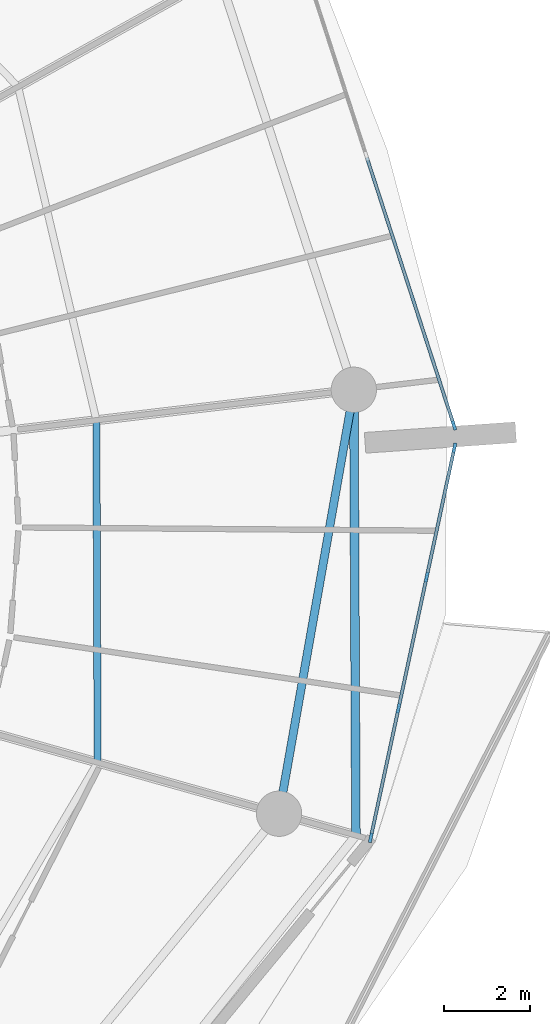
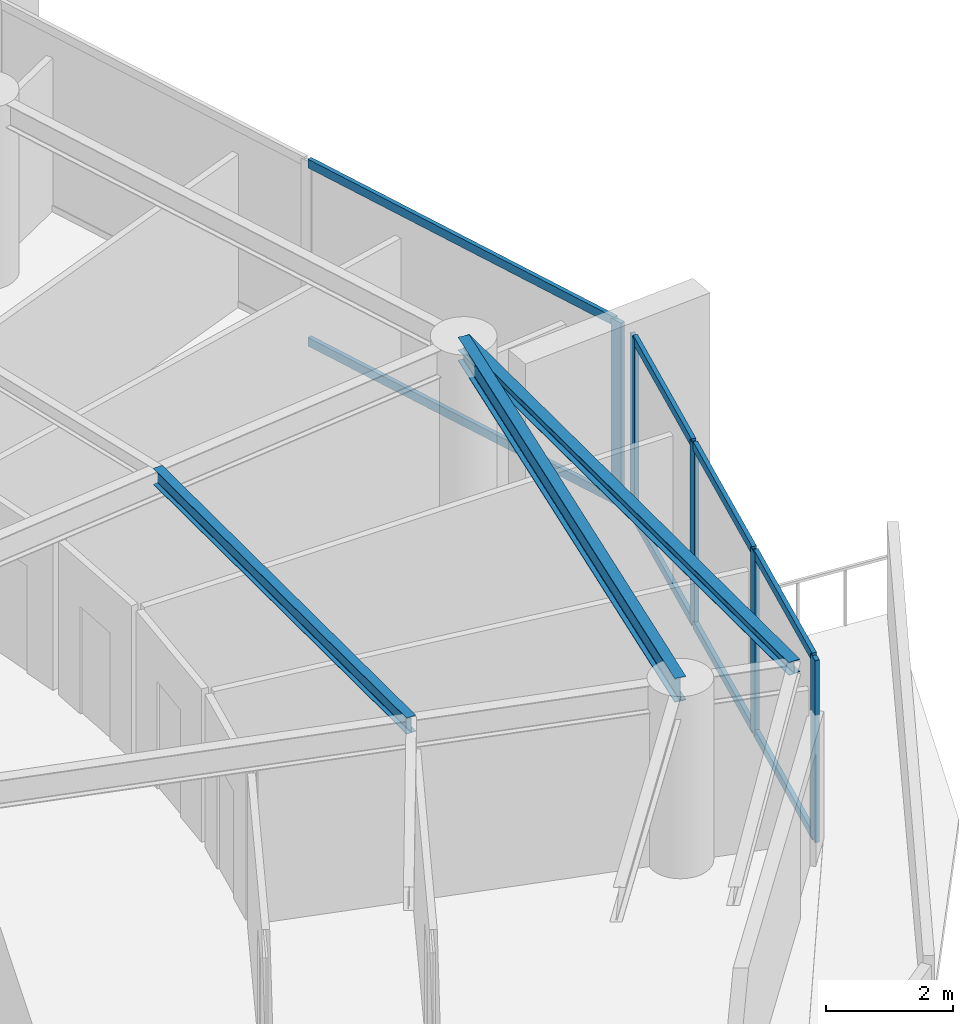
# One storey, part 7 of 20: 13 members, 3 beams, 2 elements without a shape of their own.
"""IFC4 building model written with IfcOpenShell, lengths in metres."""

from ifc_helpers import new_model, si_unit, direction, frame, origin, origin_2d, place, context, subcontext, project, spatial, rectangle, i_section, extrude, material, layer, layer_set, material_profile, profile_set, type_object, element, aggregate, save


model = new_model("IFC4")

# Units and contexts
model_context = context("Model", 3, precision=1e-05, world=origin(), true_north=direction((0.0, 1.0)))
body_context = subcontext(model_context, "Body", "Model", "MODEL_VIEW")
ifc_project = project(units=[si_unit("LENGTHUNIT", "METRE"), si_unit("AREAUNIT", "SQUARE_METRE"), si_unit("VOLUMEUNIT", "CUBIC_METRE"), si_unit("PLANEANGLEUNIT", "RADIAN"), si_unit("MASSUNIT", "GRAM", prefix="KILO")], contexts=[model_context])

# Site, building, storey
site_placement = place(None, origin())
site = spatial("IfcSite", under=ifc_project, at=site_placement, CompositionType="ELEMENT")
building_placement = place(site_placement, origin())
building = spatial("IfcBuilding", under=site, at=building_placement, Name="Kazma Halo Residences", CompositionType="ELEMENT")
storey_placement = place(building_placement, frame((0.0, 0.0, 206.550048828125)))
storey = spatial("IfcBuildingStorey", under=building, at=storey_placement, Name="L52", CompositionType="ELEMENT", Elevation=206.550048828125)

# Beams
ifc_material_1 = material(Name="Steel S355", Category="steel")
ifc_material_profile_1 = material_profile(ifc_material_1, i_section(OverallWidth=0.201904296875, OverallDepth=0.2470703125, WebThickness=0.00732421875, FlangeThickness=0.010986328125, FilletRadius=0.011962890625, at=origin_2d()), Name="W250x49.1")
ifc_profile_set_1 = profile_set([ifc_material_profile_1], Name="Steel S355")
beam_type_1 = type_object("IfcBeamType", Name="BM-BAL-CANT", PredefinedType="BEAM", material=ifc_profile_set_1)
beam_1_placement = place(storey_placement, frame((73.80029296875, 34.723388671875, 3.37646484375), z_axis=(-0.004705663334, 0.999988928305, 0.0), x_axis=(-0.999988928305, -0.004705663334, 0.0)))
element("IfcBeam", 1, at=beam_1_placement, inside=storey, type_object=beam_type_1, Name="L52 wave-balcony tie beam 15", PredefinedType="BEAM", context=body_context, shape_type="SweptSolid", body=[
    extrude(i_section(OverallWidth=0.201904296875, OverallDepth=0.2470703125, WebThickness=0.00732421875, FlangeThickness=0.010986328125, FilletRadius=0.011962890625, at=origin_2d()), origin(), (0.0, 0.0, 1.0), 10.324462890625),
])
ifc_material_profile_2 = material_profile(ifc_material_1, i_section(OverallWidth=0.1650390625, OverallDepth=0.31005859375, WebThickness=0.005859375, FlangeThickness=0.009765625, FilletRadius=0.011962890625, at=origin_2d()), Name="W310x38.7")
ifc_profile_set_2 = profile_set([ifc_material_profile_2], Name="Steel S355")
beam_type_2 = type_object("IfcBeamType", Name="BM-SEC-W310B", PredefinedType="JOIST", material=ifc_profile_set_2)
beam_2_placement = place(storey_placement, frame((67.815185546875, 36.41162109375, 3.344970703125), z_axis=(-0.003540400199, 0.999993732764, 0.0), x_axis=(-0.999993732764, -0.003540400199, 0.0)))
element("IfcBeam", 2, at=beam_2_placement, inside=storey, type_object=beam_type_2, Name="L52 circumferential floor joist 15", PredefinedType="JOIST", context=body_context, shape_type="SweptSolid", body=[
    extrude(i_section(OverallWidth=0.1650390625, OverallDepth=0.31005859375, WebThickness=0.005859375, FlangeThickness=0.009765625, FilletRadius=0.011962890625, at=origin_2d()), origin(), (0.0, 0.0, 1.0), 7.93017578125),
])
ifc_material_profile_3 = material_profile(ifc_material_1, i_section(OverallWidth=0.18994140625, OverallDepth=0.45703125, WebThickness=0.009033203125, FlangeThickness=0.014404296875, FilletRadius=0.01611328125, at=origin_2d()), Name="W460x74")
ifc_profile_set_3 = profile_set([ifc_material_profile_3], Name="Steel S355")
beam_type_3 = type_object("IfcBeamType", Name="BM-SPN-W460", PredefinedType="BEAM", material=ifc_profile_set_3)
beam_3_placement = place(storey_placement, frame((72.019775390625, 35.2255859375, 3.271484375), z_axis=(0.173648484202, 0.984807698962, 0.0), x_axis=(-0.984807698962, 0.173648484202, 0.0)))
element("IfcBeam", 3, at=beam_3_placement, inside=storey, type_object=beam_type_3, Name="L52 perimeter ring beam 15", PredefinedType="BEAM", context=body_context, shape_type="SweptSolid", body=[
    extrude(i_section(OverallWidth=0.18994140625, OverallDepth=0.45703125, WebThickness=0.009033203125, FlangeThickness=0.014404296875, FilletRadius=0.01611328125, at=origin_2d()), origin(), (0.0, 0.0, 1.0), 9.973876953125),
])

# Curtain wall, members
ifc_material_2 = material(Name="Aluminium AW-6063 T6 and Triple-Silver Low-E Glass", Category="aluminium")
ifc_layer = layer(ifc_material_2, 0.219970703125)
ifc_layer_set = layer_set([ifc_layer], Name="Aluminium AW-6063 T6 and Triple-Silver Low-E Glass")
curtain_wall_type = type_object("IfcCurtainWallType", Name="CW-SYS-4", PredefinedType="NOTDEFINED", material=ifc_layer_set)
curtain_wall_1_placement = place(storey_placement, origin())
curtain_wall_1 = element("IfcCurtainWall", 4, at=curtain_wall_1_placement, inside=storey, type_object=curtain_wall_type, Name="L52 unitised curtain wall B15", PredefinedType="NOTDEFINED")
ifc_material_3 = material(Name="Aluminium AW-6063 T6", Category="aluminium")
ifc_material_profile_4 = material_profile(ifc_material_3, rectangle(XDim=0.074951171875, YDim=0.219970703125, at=origin_2d()), Name="CWM-75x220")
ifc_profile_set_4 = profile_set([ifc_material_profile_4], Name="Aluminium AW-6063 T6")
member_type_1 = type_object("IfcMemberType", Name="CW-SYS-4-MUL", PredefinedType="MULLION", material=ifc_profile_set_4)
member_1_placement = place(storey_placement, frame((74.1435546875, 34.665771484375, 0.0), z_axis=(0.0, 0.0, 1.0), x_axis=(-0.977768017212, 0.209689543175, 0.0)))
member_1 = element("IfcMember", 5, at=member_1_placement, type_object=member_type_1, Name="CWS-4 mullion 1", PredefinedType="MULLION", context=body_context, shape_type="SweptSolid", body=[
    extrude(rectangle(XDim=0.074951171875, YDim=0.219970703125, at=origin_2d()), origin(), (0.0, 0.0, 1.0), 3.5),
])
member_2_placement = place(storey_placement, frame((74.787109375, 37.6669921875, 0.0), z_axis=(0.0, 0.0, 1.0), x_axis=(-0.977768017212, 0.209689543175, 0.0)))
member_2 = element("IfcMember", 6, at=member_2_placement, type_object=member_type_1, Name="CWS-4 mullion 2", PredefinedType="MULLION", context=body_context, shape_type="SweptSolid", body=[
    extrude(rectangle(XDim=0.074951171875, YDim=0.219970703125, at=origin_2d()), origin(), (0.0, 0.0, 1.0), 3.5),
])
member_3_placement = place(storey_placement, frame((75.438720703125, 40.704833984375, 0.0), z_axis=(0.0, 0.0, 1.0), x_axis=(-0.977768017212, 0.209689543175, 0.0)))
member_3 = element("IfcMember", 7, at=member_3_placement, type_object=member_type_1, Name="CWS-4 mullion 3", PredefinedType="MULLION", context=body_context, shape_type="SweptSolid", body=[
    extrude(rectangle(XDim=0.074951171875, YDim=0.219970703125, at=origin_2d()), origin(), (0.0, 0.0, 1.0), 3.5),
])
member_4_placement = place(storey_placement, frame((76.082275390625, 43.7060546875, 0.0), z_axis=(0.0, 0.0, 1.0), x_axis=(-0.977768017212, 0.209689543175, 0.0)))
member_4 = element("IfcMember", 8, at=member_4_placement, type_object=member_type_1, Name="CWS-4 mullion 4", PredefinedType="MULLION", context=body_context, shape_type="SweptSolid", body=[
    extrude(rectangle(XDim=0.074951171875, YDim=0.219970703125, at=origin_2d()), origin(), (0.0, 0.0, 1.0), 3.5),
])

# Curtain wall, member
curtain_wall_2_placement = place(storey_placement, origin())
curtain_wall_2 = element("IfcCurtainWall", 9, at=curtain_wall_2_placement, inside=storey, type_object=curtain_wall_type, Name="L52 unitised curtain wall B16", PredefinedType="NOTDEFINED")
member_5_placement = place(storey_placement, frame((76.0712890625, 44.22119140625, 0.0), z_axis=(0.0, 0.0, 1.0), x_axis=(-0.951056893636, -0.309015833038, 0.0)))
member_5 = element("IfcMember", 10, at=member_5_placement, type_object=member_type_1, Name="CWS-4 mullion 1", PredefinedType="MULLION", context=body_context, shape_type="SweptSolid", body=[
    extrude(rectangle(XDim=0.074951171875, YDim=0.219970703125, at=origin_2d()), origin(), (0.0, 0.0, 1.0), 3.5),
])

# Member
ifc_material_profile_5 = material_profile(ifc_material_3, rectangle(XDim=0.074951171875, YDim=0.1650390625, at=origin_2d()), Name="CWT-75x165")
ifc_profile_set_5 = profile_set([ifc_material_profile_5], Name="Aluminium AW-6063 T6")
member_type_2 = type_object("IfcMemberType", Name="CW-SYS-4-TRN", PredefinedType="USERDEFINED", material=ifc_profile_set_5)
member_6_placement = place(storey_placement, frame((74.1513671875, 34.702392578125, 0.037353515625), z_axis=(0.209707268418, 0.977764215735, 0.0), x_axis=(-0.977764215735, 0.209707268418, 0.0)))
member_6 = element("IfcMember", 11, at=member_6_placement, type_object=member_type_2, Name="CWS-4 transom 1.1", ObjectType="TRANSOM", PredefinedType="USERDEFINED", context=body_context, shape_type="SweptSolid", body=[
    extrude(rectangle(XDim=0.074951171875, YDim=0.1650390625, at=origin_2d()), origin(), (0.0, 0.0, 1.0), 2.994384765625),
])

member_7_placement = place(storey_placement, frame((74.1513671875, 34.702392578125, 3.46240234375), z_axis=(0.209707268418, 0.977764215735, 0.0), x_axis=(-0.977764215735, 0.209707268418, 0.0)))
member_7 = element("IfcMember", 12, at=member_7_placement, type_object=member_type_2, Name="CWS-4 transom 1.2", ObjectType="TRANSOM", PredefinedType="USERDEFINED", context=body_context, shape_type="SweptSolid", body=[
    extrude(rectangle(XDim=0.074951171875, YDim=0.1650390625, at=origin_2d()), origin(), (0.0, 0.0, 1.0), 2.994384765625),
])

member_8_placement = place(storey_placement, frame((74.794921875, 37.70361328125, 0.037353515625), z_axis=(0.209677559804, 0.977770587057, 0.0), x_axis=(-0.977770587057, 0.209677559804, 0.0)))
member_8 = element("IfcMember", 13, at=member_8_placement, type_object=member_type_2, Name="CWS-4 transom 2.1", ObjectType="TRANSOM", PredefinedType="USERDEFINED", context=body_context, shape_type="SweptSolid", body=[
    extrude(rectangle(XDim=0.074951171875, YDim=0.1650390625, at=origin_2d()), origin(), (0.0, 0.0, 1.0), 3.031982421875),
])

member_9_placement = place(storey_placement, frame((74.794921875, 37.70361328125, 3.46240234375), z_axis=(0.209677559804, 0.977770587057, 0.0), x_axis=(-0.977770587057, 0.209677559804, 0.0)))
member_9 = element("IfcMember", 14, at=member_9_placement, type_object=member_type_2, Name="CWS-4 transom 2.2", ObjectType="TRANSOM", PredefinedType="USERDEFINED", context=body_context, shape_type="SweptSolid", body=[
    extrude(rectangle(XDim=0.074951171875, YDim=0.1650390625, at=origin_2d()), origin(), (0.0, 0.0, 1.0), 3.031982421875),
])

member_10_placement = place(storey_placement, frame((75.446533203125, 40.741455078125, 0.037353515625), z_axis=(0.209690551496, 0.97776780097, 0.0), x_axis=(-0.97776780097, 0.209690551496, 0.0)))
member_10 = element("IfcMember", 15, at=member_10_placement, type_object=member_type_2, Name="CWS-4 transom 3.1", ObjectType="TRANSOM", PredefinedType="USERDEFINED", context=body_context, shape_type="SweptSolid", body=[
    extrude(rectangle(XDim=0.074951171875, YDim=0.1650390625, at=origin_2d()), origin(), (0.0, 0.0, 1.0), 2.99462890625),
])

member_11_placement = place(storey_placement, frame((75.446533203125, 40.741455078125, 3.46240234375), z_axis=(0.209690551496, 0.97776780097, 0.0), x_axis=(-0.97776780097, 0.209690551496, 0.0)))
member_11 = element("IfcMember", 16, at=member_11_placement, type_object=member_type_2, Name="CWS-4 transom 3.2", ObjectType="TRANSOM", PredefinedType="USERDEFINED", context=body_context, shape_type="SweptSolid", body=[
    extrude(rectangle(XDim=0.074951171875, YDim=0.1650390625, at=origin_2d()), origin(), (0.0, 0.0, 1.0), 2.99462890625),
])

aggregate(curtain_wall_1, [member_1, member_2, member_3, member_4, member_6, member_7, member_8, member_9, member_10, member_11])

member_12_placement = place(storey_placement, frame((76.0595703125, 44.2568359375, 0.037353515625), z_axis=(-0.30902650142, 0.951053427217, 0.0), x_axis=(-0.951053427217, -0.30902650142, 0.0)))
member_12 = element("IfcMember", 17, at=member_12_placement, type_object=member_type_2, Name="CWS-4 transom 1.1", ObjectType="TRANSOM", PredefinedType="USERDEFINED", context=body_context, shape_type="SweptSolid", body=[
    extrude(rectangle(XDim=0.074951171875, YDim=0.1650390625, at=origin_2d()), origin(), (0.0, 0.0, 1.0), 6.487060546875),
])

member_13_placement = place(storey_placement, frame((76.0595703125, 44.2568359375, 3.46240234375), z_axis=(-0.30902650142, 0.951053427217, 0.0), x_axis=(-0.951053427217, -0.30902650142, 0.0)))
member_13 = element("IfcMember", 18, at=member_13_placement, type_object=member_type_2, Name="CWS-4 transom 1.2", ObjectType="TRANSOM", PredefinedType="USERDEFINED", context=body_context, shape_type="SweptSolid", body=[
    extrude(rectangle(XDim=0.074951171875, YDim=0.1650390625, at=origin_2d()), origin(), (0.0, 0.0, 1.0), 6.487060546875),
])

aggregate(curtain_wall_2, [member_5, member_12, member_13])

save(model, "model.ifc")
